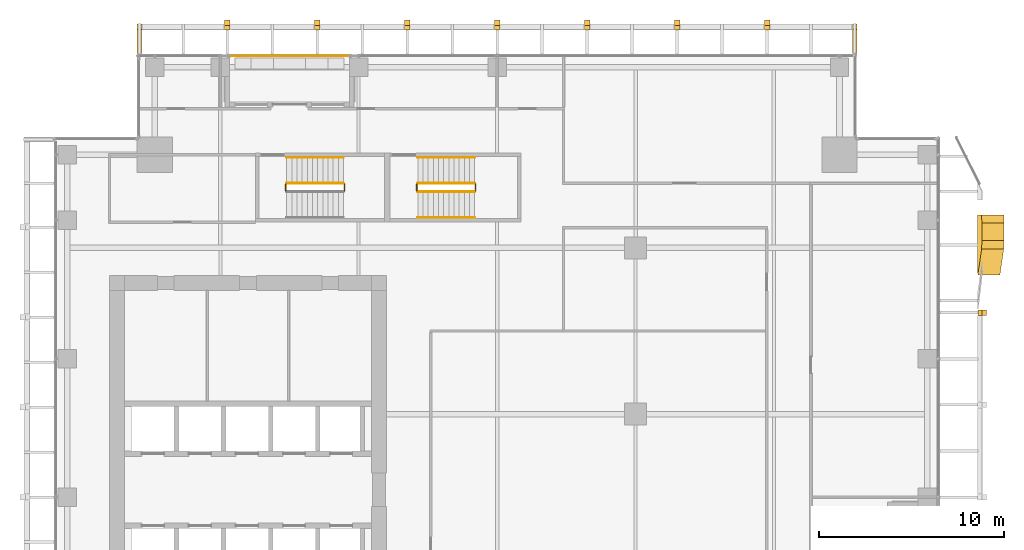
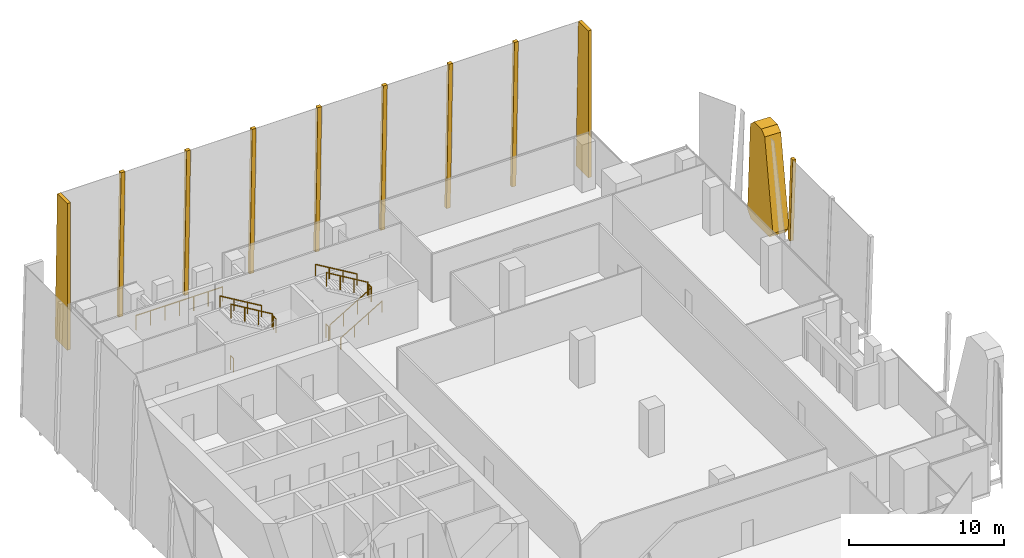
# One storey, part 34 of 35: 11 coverings, 11 railings.
"""IFC4 building model written with IfcOpenShell, lengths in metres."""

from ifc_helpers import new_model, si_unit, direction, frame, origin, origin_2d, place, context, subcontext, project, spatial, polyline, circle, outline, extrude, source, transform, mapped, material, layer, layer_set, type_object, element, save


model = new_model("IFC4")

# Units and contexts
model_context = context("Model", 3, precision=1e-05, world=origin(), true_north=direction((0.0, 1.0)))
body_context = subcontext(model_context, "Body", "Model", "MODEL_VIEW")
ifc_project = project(units=[si_unit("LENGTHUNIT", "METRE"), si_unit("AREAUNIT", "SQUARE_METRE"), si_unit("VOLUMEUNIT", "CUBIC_METRE"), si_unit("PLANEANGLEUNIT", "RADIAN"), si_unit("MASSUNIT", "GRAM", prefix="KILO")], contexts=[model_context])

# Site, building, storey
site_placement = place(None, origin())
site = spatial("IfcSite", under=ifc_project, at=site_placement, CompositionType="ELEMENT")
building_placement = place(site_placement, origin())
building = spatial("IfcBuilding", under=site, at=building_placement, Name="Khomas Fold Tower", CompositionType="ELEMENT")
storey_placement = place(building_placement, frame((0.0, 0.0, 200.699951171875)))
storey = spatial("IfcBuildingStorey", under=building, at=storey_placement, Name="L44", CompositionType="ELEMENT", Elevation=200.699951171875)

# Coverings
ifc_material_1 = material(Name="Natural stone cladding", Category="masonry")
ifc_layer_1 = layer(ifc_material_1, 0.25)
ifc_layer_set_1 = layer_set([ifc_layer_1], Name="Natural stone cladding")
covering_type_1 = type_object("IfcCoveringType", Name="SK-Karibib marble stone mullion", PredefinedType="CLADDING", material=ifc_layer_set_1)
covering_1_placement = place(storey_placement, frame((53.06884765625, 37.14990234375, 1.334716796875), z_axis=(-0.999511362963, 6.037073e-05, 0.031257505704), x_axis=(-0.030165057459, -0.263934759468, -0.964068727868)))
element("IfcCovering", 1, at=covering_1_placement, inside=storey, type_object=covering_type_1, Name="OUTER SKIN mullion L44 EM105-9", PredefinedType="CLADDING", context=body_context, shape_type="SweptSolid", body=[
    extrude(outline(polyline([(0.0, 0.0), (0.08787535799602349, 0.0), (0.16088270235074198, 0.2668028377631763), (-5.918740521283455, 1.9304176251193985), (-5.997869399366063, 1.6412438521510133), (0.0, 0.0)])), origin(), (0.0, 0.0, -1.0), 0.25),
])
for number, where, z_axis, x_axis, name in (
    (2, (12.22509765625, 52.852294921875, 0.006591796875), (0.0, 0.999657230839, 0.026180543005), (1.0, 0.0, 0.0), "OUTER SKIN mullion L44 N2"),
    (3, (17.10009765625, 52.852294921875, 0.006591796875), (0.0, 0.999657230839, 0.026180543005), (1.0, 0.0, 0.0), "OUTER SKIN mullion L44 N4"),
    (4, (21.97509765625, 52.852294921875, 0.006591796875), (0.0, 0.999657230839, 0.026180543005), (1.0, 0.0, 0.0), "OUTER SKIN mullion L44 N6"),
    (5, (26.85009765625, 52.852294921875, 0.006591796875), (0.0, 0.999657230839, 0.026180543005), (1.0, 0.0, 0.0), "OUTER SKIN mullion L44 N8"),
    (6, (31.72509765625, 52.852294921875, 0.006591796875), (0.0, 0.999657230839, 0.026180543005), (1.0, 0.0, 0.0), "OUTER SKIN mullion L44 N10"),
    (7, (36.60009765625, 52.852294921875, 0.006591796875), (0.0, 0.999657230839, 0.026180543005), (1.0, 0.0, 0.0), "OUTER SKIN mullion L44 N12"),
    (8, (41.47509765625, 52.852294921875, 0.006591796875), (0.0, 0.999657230839, 0.026180543005), (1.0, 0.0, 0.0), "OUTER SKIN mullion L44 N14"),
):
    element("IfcCovering", number, at=place(storey_placement, frame(where, z_axis=z_axis, x_axis=x_axis)), inside=storey, type_object=covering_type_1, Name=name, PredefinedType="CLADDING", context=body_context, shape_type="SweptSolid", body=[
        extrude(outline(polyline([(0.0, 0.0), (0.2998046875, 0.0), (0.2998046875, -11.554009186164079), (0.0, -11.554009186164079), (0.0, 0.0)])), origin(), (0.0, 0.0, -1.0), 0.25),
    ])
covering_2_placement = place(storey_placement, frame((7.5, 51.050048828125, 11.550048828125), z_axis=(-1.0, 0.0, 0.0), x_axis=(0.0, 1.0, 0.0)))
element("IfcCovering", 9, at=covering_2_placement, inside=storey, type_object=covering_type_1, Name="OUTER SKIN return L44 N1", PredefinedType="CLADDING", context=body_context, shape_type="SweptSolid", body=[
    extrude(outline(polyline([(0.0, 0.0), (1.289794921875, 0.0), (1.59228515625, 11.550048828125), (0.0, 11.550048828125), (0.0, 0.0)])), origin(), (0.0, 0.0, -1.0), 0.25),
])
covering_3_placement = place(storey_placement, frame((46.5, 51.050048828125, 0.0), z_axis=(1.0, 0.0, 0.0), x_axis=(0.0, 1.0, 0.0)))
element("IfcCovering", 10, at=covering_3_placement, inside=storey, type_object=covering_type_1, Name="OUTER SKIN return L44 N2", PredefinedType="CLADDING", context=body_context, shape_type="SweptSolid", body=[
    extrude(outline(polyline([(0.0, 0.0), (1.59228515625, 0.0), (1.289794921875, 11.550048828125), (0.0, 11.550048828125), (0.0, 0.0)])), origin(), (0.0, 0.0, -1.0), 0.25),
])
ifc_material_2 = material(Name="Natural stone cladding", Category="masonry")
ifc_layer_2 = layer(ifc_material_2, 1.199951171875)
ifc_layer_set_2 = layer_set([ifc_layer_2], Name="Natural stone cladding")
covering_type_2 = type_object("IfcCoveringType", Name="SK-Karibib marble stone panel", PredefinedType="CLADDING", material=ifc_layer_set_2)
covering_4_placement = place(storey_placement, frame((53.0439453125, 39.029296875, 0.544189453125), z_axis=(-0.999510149636, 6.315333e-06, 0.03129633741), x_axis=(0.030605385771, 0.209166239836, 0.977401040758)))
element("IfcCovering", 11, at=covering_4_placement, inside=storey, type_object=covering_type_2, Name="OUTER SKIN leaf L44 ES06-2", PredefinedType="CLADDING", context=body_context, shape_type="SweptSolid", body=[
    extrude(outline(polyline([(0.0, 0.0), (6.8036586802322025, 4.440892098500626e-16), (7.2439285835450455, 0.35572030365658613), (7.444260409442777, 1.292298335995258), (7.098166355466267, 1.8264562214654647), (0.5919326290826974, 3.2181242266606), (0.05760191362627631, 2.872287117621546), (-0.44039348942105394, 0.5440921210967616), (0.0, 0.0)])), origin(), (0.0, 0.0, -1.0), 1.199951171875),
])

# Railings
ifc_material_3 = material(Name="Powder-coated steel", Category="steel")
railing_type_1 = type_object("IfcRailingType", Name="Balcony guard", PredefinedType="GUARDRAIL", material=ifc_material_3)
shared_shape_1 = source(origin(), body_context, "Body", "SweptSolid", [
    extrude(circle(Radius=0.02490234375, at=origin_2d()), frame((0.0, 0.0, 1.125), z_axis=(1.0, 0.0, 0.0), x_axis=(0.0, 1.0, 0.0)), (0.0, 0.0, 1.0), 6.43994140625),
    extrude(circle(Radius=0.02001953125, at=origin_2d()), origin(), (0.0, 0.0, 1.0), 1.099853515625),
    extrude(circle(Radius=0.02001953125, at=origin_2d()), frame((1.0732421875, 0.0, 0.0)), (0.0, 0.0, 1.0), 1.099853515625),
    extrude(circle(Radius=0.02001953125, at=origin_2d()), frame((2.146728515625, 0.0, 0.0)), (0.0, 0.0, 1.0), 1.099853515625),
    extrude(circle(Radius=0.02001953125, at=origin_2d()), frame((3.219970703125, 0.0, 0.0)), (0.0, 0.0, 1.0), 1.099853515625),
    extrude(circle(Radius=0.02001953125, at=origin_2d()), frame((4.293212890625, 0.0, 0.0)), (0.0, 0.0, 1.0), 1.099853515625),
    extrude(circle(Radius=0.02001953125, at=origin_2d()), frame((5.36669921875, 0.0, 0.0)), (0.0, 0.0, 1.0), 1.099853515625),
    extrude(circle(Radius=0.02001953125, at=origin_2d()), frame((6.43994140625, 0.0, 0.0)), (0.0, 0.0, 1.0), 1.099853515625),
])
railing_1_placement = place(storey_placement, frame((12.530029296875, 50.89990234375, -0.044921875)))
element("IfcRailing", 12, at=railing_1_placement, inside=storey, type_object=railing_type_1, Name="Balcony guard BAL-L44-N1", PredefinedType="GUARDRAIL", context=body_context, shape_type="MappedRepresentation", body=[
    mapped(shared_shape_1, transform((0.0, 0.0, 0.0))),
])
ifc_material_4 = material(Name="Steel balustrade", Category="steel")
railing_type_2 = type_object("IfcRailingType", Name="Stair guard", PredefinedType="GUARDRAIL", material=ifc_material_4)
shared_shape_2 = source(origin(), body_context, "Body", "SweptSolid", [
    extrude(circle(Radius=0.02392578125, at=origin_2d()), frame((0.0, 0.0, 1.076171875), z_axis=(0.0, 1.0, 0.0), x_axis=(-1.0, 0.0, 0.0)), (0.0, 0.0, 1.0), 0.349853515625),
    extrude(circle(Radius=0.02099609375, at=origin_2d()), origin(), (0.0, 0.0, 1.0), 1.052001953125),
    extrude(circle(Radius=0.02099609375, at=origin_2d()), frame((0.0, 0.349853515625, 0.0)), (0.0, 0.0, 1.0), 1.052001953125),
])
for number, where, name in (
    (13, (18.72998046875, 43.60009765625, 2.0), "L44 ST1 stair guard 2"),
    (14, (15.550048828125, 43.60009765625, 0.0), "L44 ST1 stair guard 4"),
    (15, (25.830078125, 43.60009765625, 2.0), "L44 ST3 stair guard 2"),
    (16, (22.64990234375, 43.60009765625, 0.0), "L44 ST3 stair guard 4"),
):
    element("IfcRailing", number, at=place(storey_placement, frame(where)), inside=storey, type_object=railing_type_2, Name=name, PredefinedType="GUARDRAIL", context=body_context, shape_type="MappedRepresentation", body=[
        mapped(shared_shape_2, transform((0.0, 0.0, 0.0))),
    ])
shared_shape_3 = source(origin(), body_context, "Body", "SweptSolid", [
    extrude(circle(Radius=0.02392578125, at=origin_2d()), frame((0.0, 0.0, 1.076171875), z_axis=(-0.859290745958, 0.0, 0.51148745235), x_axis=(0.0, -1.0, 0.0)), (0.0, 0.0, 1.0), 3.584228515625),
    extrude(circle(Radius=0.02099609375, at=origin_2d()), origin(), (0.0, 0.0, 1.0), 1.052001953125),
    extrude(circle(Radius=0.02099609375, at=origin_2d()), frame((-1.026611328125, 0.0, 0.611083984375)), (0.0, 0.0, 1.0), 1.052001953125),
    extrude(circle(Radius=0.02099609375, at=origin_2d()), frame((-2.05322265625, 0.0, 1.22216796875)), (0.0, 0.0, 1.0), 1.052001953125),
    extrude(circle(Radius=0.02099609375, at=origin_2d()), frame((-3.079833984375, 0.0, 1.833251953125)), (0.0, 0.0, 1.0), 1.052001953125),
])
railing_2_placement = place(storey_placement, frame((18.679931640625, 44.0, 2.166748046875)))
element("IfcRailing", 17, at=railing_2_placement, inside=storey, type_object=railing_type_2, Name="L44 ST1 stair guard 3", PredefinedType="GUARDRAIL", context=body_context, shape_type="MappedRepresentation", body=[
    mapped(shared_shape_3, transform((0.0, 0.0, 0.0))),
])
ifc_material_5 = material(Name="Steel handrail", Category="steel")
railing_type_3 = type_object("IfcRailingType", Name="Stair handrail", PredefinedType="HANDRAIL", material=ifc_material_5)
shared_shape_4 = source(origin(), body_context, "Body", "SweptSolid", [
    extrude(circle(Radius=0.02392578125, at=origin_2d()), frame((0.0, 0.0, 0.8759765625), z_axis=(-0.859290745958, 0.0, 0.51148745235), x_axis=(0.0, -1.0, 0.0)), (0.0, 0.0, 1.0), 3.584228515625),
    extrude(circle(Radius=0.02099609375, at=origin_2d()), origin(), (0.0, 0.0, 1.0), 0.851806640625),
    extrude(circle(Radius=0.02099609375, at=origin_2d()), frame((-1.026611328125, 0.0, 0.611083984375)), (0.0, 0.0, 1.0), 0.851806640625),
    extrude(circle(Radius=0.02099609375, at=origin_2d()), frame((-2.05322265625, 0.0, 1.22216796875)), (0.0, 0.0, 1.0), 0.851806640625),
    extrude(circle(Radius=0.02099609375, at=origin_2d()), frame((-3.079833984375, 0.0, 1.833251953125)), (0.0, 0.0, 1.0), 0.851806640625),
])
railing_3_placement = place(storey_placement, frame((18.679931640625, 45.39990234375, 2.166748046875)))
element("IfcRailing", 18, at=railing_3_placement, inside=storey, type_object=railing_type_3, Name="L44 ST1 stair handrail 2", PredefinedType="HANDRAIL", context=body_context, shape_type="MappedRepresentation", body=[
    mapped(shared_shape_4, transform((0.0, 0.0, 0.0))),
])
shared_shape_5 = source(origin(), body_context, "Body", "SweptSolid", [
    extrude(circle(Radius=0.02392578125, at=origin_2d()), frame((0.0, 0.0, 1.076171875), z_axis=(0.859308565015, 0.0, 0.511457515432), x_axis=(0.0, 1.0, 0.0)), (0.0, 0.0, 1.0), 3.58447265625),
    extrude(circle(Radius=0.02099609375, at=origin_2d()), origin(), (0.0, 0.0, 1.0), 1.052001953125),
    extrude(circle(Radius=0.02099609375, at=origin_2d()), frame((1.026611328125, 0.0, 0.611083984375)), (0.0, 0.0, 1.0), 1.052001953125),
    extrude(circle(Radius=0.02099609375, at=origin_2d()), frame((2.053466796875, 0.0, 1.22216796875)), (0.0, 0.0, 1.0), 1.052001953125),
    extrude(circle(Radius=0.02099609375, at=origin_2d()), frame((3.080078125, 0.0, 1.833251953125)), (0.0, 0.0, 1.0), 1.052001953125),
])
railing_4_placement = place(storey_placement, frame((22.699951171875, 43.550048828125, 0.166748046875)))
element("IfcRailing", 19, at=railing_4_placement, inside=storey, type_object=railing_type_2, Name="L44 ST3 stair guard 1", PredefinedType="GUARDRAIL", context=body_context, shape_type="MappedRepresentation", body=[
    mapped(shared_shape_5, transform((0.0, 0.0, 0.0))),
])
shared_shape_6 = source(origin(), body_context, "Body", "SweptSolid", [
    extrude(circle(Radius=0.02392578125, at=origin_2d()), frame((0.0, 0.0, 1.076171875), z_axis=(-0.859308565015, 0.0, 0.511457515432), x_axis=(0.0, -1.0, 0.0)), (0.0, 0.0, 1.0), 3.58447265625),
    extrude(circle(Radius=0.02099609375, at=origin_2d()), origin(), (0.0, 0.0, 1.0), 1.052001953125),
    extrude(circle(Radius=0.02099609375, at=origin_2d()), frame((-1.026611328125, 0.0, 0.611083984375)), (0.0, 0.0, 1.0), 1.052001953125),
    extrude(circle(Radius=0.02099609375, at=origin_2d()), frame((-2.053466796875, 0.0, 1.22216796875)), (0.0, 0.0, 1.0), 1.052001953125),
    extrude(circle(Radius=0.02099609375, at=origin_2d()), frame((-3.080078125, 0.0, 1.833251953125)), (0.0, 0.0, 1.0), 1.052001953125),
])
railing_5_placement = place(storey_placement, frame((25.780029296875, 44.0, 2.166748046875)))
element("IfcRailing", 20, at=railing_5_placement, inside=storey, type_object=railing_type_2, Name="L44 ST3 stair guard 3", PredefinedType="GUARDRAIL", context=body_context, shape_type="MappedRepresentation", body=[
    mapped(shared_shape_6, transform((0.0, 0.0, 0.0))),
])
shared_shape_7 = source(origin(), body_context, "Body", "SweptSolid", [
    extrude(circle(Radius=0.02392578125, at=origin_2d()), frame((0.0, 0.0, 0.8759765625), z_axis=(0.859308565015, 0.0, 0.511457515432), x_axis=(0.0, 1.0, 0.0)), (0.0, 0.0, 1.0), 3.58447265625),
    extrude(circle(Radius=0.02099609375, at=origin_2d()), origin(), (0.0, 0.0, 1.0), 0.851806640625),
    extrude(circle(Radius=0.02099609375, at=origin_2d()), frame((1.026611328125, 0.0, 0.611083984375)), (0.0, 0.0, 1.0), 0.851806640625),
    extrude(circle(Radius=0.02099609375, at=origin_2d()), frame((2.053466796875, 0.0, 1.22216796875)), (0.0, 0.0, 1.0), 0.851806640625),
    extrude(circle(Radius=0.02099609375, at=origin_2d()), frame((3.080078125, 0.0, 1.833251953125)), (0.0, 0.0, 1.0), 0.851806640625),
])
railing_6_placement = place(storey_placement, frame((22.699951171875, 42.14990234375, 0.166748046875)))
element("IfcRailing", 21, at=railing_6_placement, inside=storey, type_object=railing_type_3, Name="L44 ST3 stair handrail 1", PredefinedType="HANDRAIL", context=body_context, shape_type="MappedRepresentation", body=[
    mapped(shared_shape_7, transform((0.0, 0.0, 0.0))),
])
shared_shape_8 = source(origin(), body_context, "Body", "SweptSolid", [
    extrude(circle(Radius=0.02392578125, at=origin_2d()), frame((0.0, 0.0, 0.8759765625), z_axis=(-0.859308565015, 0.0, 0.511457515432), x_axis=(0.0, -1.0, 0.0)), (0.0, 0.0, 1.0), 3.58447265625),
    extrude(circle(Radius=0.02099609375, at=origin_2d()), origin(), (0.0, 0.0, 1.0), 0.851806640625),
    extrude(circle(Radius=0.02099609375, at=origin_2d()), frame((-1.026611328125, 0.0, 0.611083984375)), (0.0, 0.0, 1.0), 0.851806640625),
    extrude(circle(Radius=0.02099609375, at=origin_2d()), frame((-2.053466796875, 0.0, 1.22216796875)), (0.0, 0.0, 1.0), 0.851806640625),
    extrude(circle(Radius=0.02099609375, at=origin_2d()), frame((-3.080078125, 0.0, 1.833251953125)), (0.0, 0.0, 1.0), 0.851806640625),
])
railing_7_placement = place(storey_placement, frame((25.780029296875, 45.39990234375, 2.166748046875)))
element("IfcRailing", 22, at=railing_7_placement, inside=storey, type_object=railing_type_3, Name="L44 ST3 stair handrail 2", PredefinedType="HANDRAIL", context=body_context, shape_type="MappedRepresentation", body=[
    mapped(shared_shape_8, transform((0.0, 0.0, 0.0))),
])

save(model, "model.ifc")
